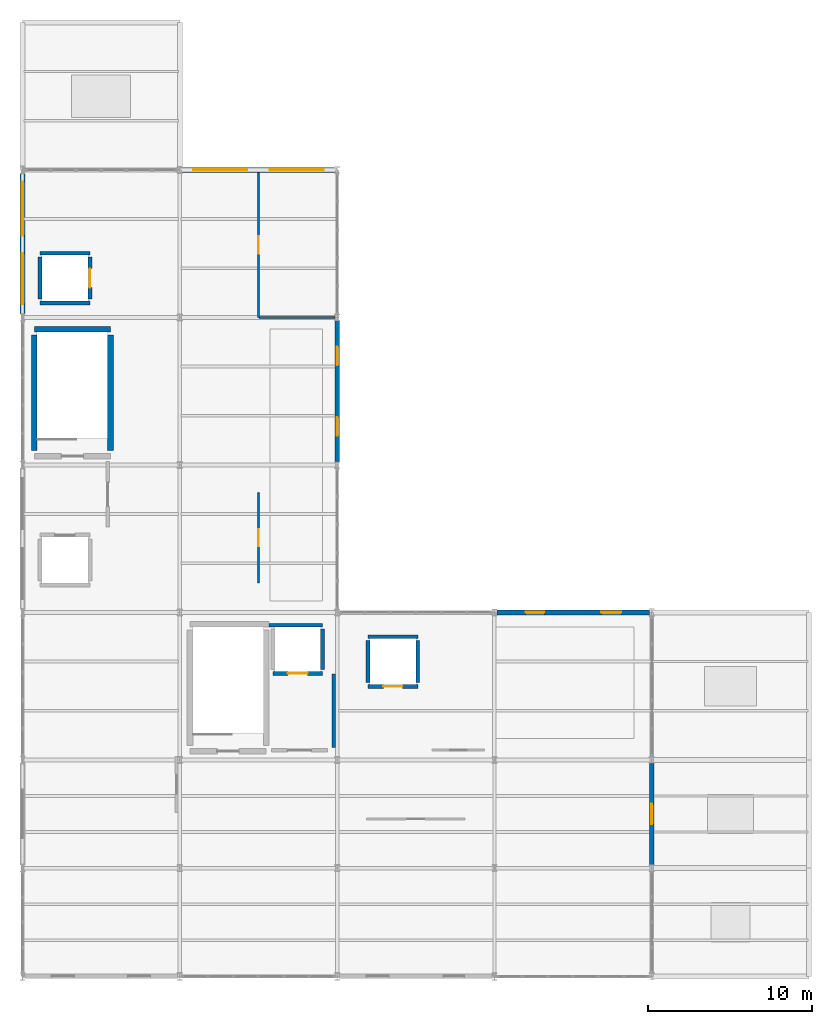
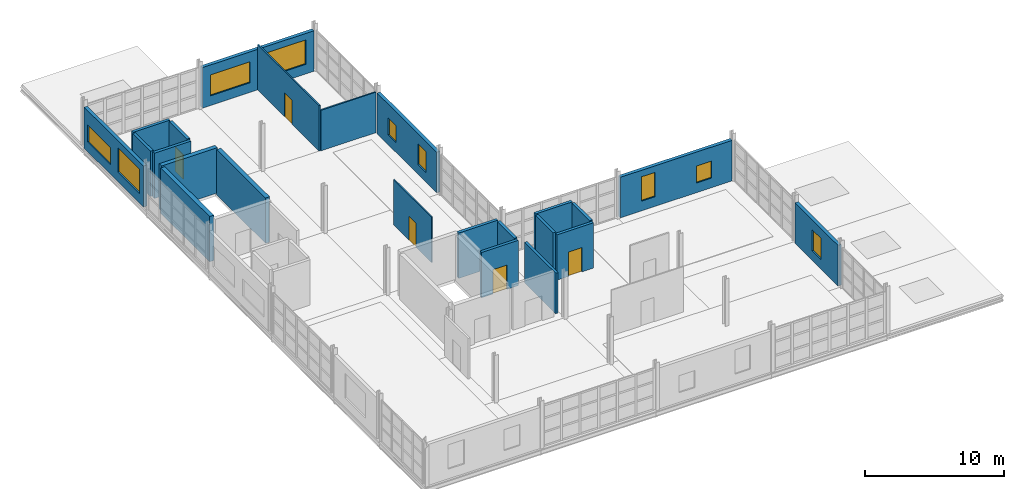
# One storey, part 14 of 15: 23 walls, 9 windows, 5 doors, 14 openings.
"""IFC4 building model written with IfcOpenShell, lengths in metres."""

from ifc_helpers import new_model, si_unit, direction, frame, frame_2d, origin, place, context, subcontext, project, spatial, rectangle, extrude, material, layer, layer_set, type_object, element, fill, save


model = new_model("IFC4")

# Units and contexts
model_context = context("Model", 3, precision=1e-05, world=origin(), true_north=direction((0.0, 1.0)))
body_context = subcontext(model_context, "Body", "Model", "MODEL_VIEW")
ifc_project = project(units=[si_unit("LENGTHUNIT", "METRE"), si_unit("AREAUNIT", "SQUARE_METRE"), si_unit("VOLUMEUNIT", "CUBIC_METRE"), si_unit("PLANEANGLEUNIT", "RADIAN"), si_unit("MASSUNIT", "GRAM", prefix="KILO")], contexts=[model_context])

# Site, building, storey
site_placement = place(None, origin())
site = spatial("IfcSite", under=ifc_project, at=site_placement, CompositionType="ELEMENT")
building_placement = place(site_placement, origin())
building = spatial("IfcBuilding", under=site, at=building_placement, Name="Zarnetskaya Central Station", CompositionType="ELEMENT")
storey_placement = place(building_placement, frame((0.0, 0.0, 22.800048828125)))
storey = spatial("IfcBuildingStorey", under=building, at=storey_placement, Name="L05", CompositionType="ELEMENT", Elevation=22.800048828125)

# Wall
ifc_material_1 = material(Name="Concrete C30/37", Category="concrete")
ifc_layer_1 = layer(ifc_material_1, 0.205078125, Name="Concrete C30/37", Category="concrete")
ifc_layer_set_1 = layer_set([ifc_layer_1], Name="Concrete C30/37")
wall_type_1 = type_object("IfcWallType", Name="PART-FFL-205", PredefinedType="PARTITIONING", material=ifc_layer_set_1)
wall_1_placement = place(storey_placement, frame((19.0, 18.449951171875, 0.0), z_axis=(0.0, 0.0, 1.0), x_axis=(0.0, -1.0, 0.0)))
element("IfcWall", 1, at=wall_1_placement, inside=storey, type_object=wall_type_1, Name="Interior partition IPRT-L05-0372", PredefinedType="PARTITIONING", context=body_context, shape_type="SweptSolid", body=[
    extrude(rectangle(XDim=4.5, YDim=0.205078125, at=frame_2d((2.25, 0.0))), origin(), (0.0, 0.0, 1.0), 3.570068359375),
])

# Wall, opening, door
ifc_material_2 = material(Name="Gypsum stud partition")
ifc_layer_2 = layer(ifc_material_2, 0.10009765625, Name="Gypsum stud partition")
ifc_layer_set_2 = layer_set([ifc_layer_2], Name="Gypsum stud partition")
wall_type_2 = type_object("IfcWallType", Name="PART-LGT-100", PredefinedType="PARTITIONING", material=ifc_layer_set_2)
wall_2_placement = place(storey_placement, frame((14.39990234375, 24.0, 0.0), z_axis=(0.0, 0.0, 1.0), x_axis=(0.0, 1.0, 0.0)))
wall_2 = element("IfcWall", 2, at=wall_2_placement, inside=storey, type_object=wall_type_2, Name="Interior partition IPRT-L05-0444", PredefinedType="PARTITIONING", context=body_context, shape_type="SweptSolid", body=[
    extrude(rectangle(XDim=5.5, YDim=0.10009765625, at=frame_2d((2.75, 0.0))), origin(), (0.0, 0.0, 1.0), 3.989990234375),
])
opening_1_placement = place(wall_2_placement, frame((2.22998046875, 0.0, 0.0)))
opening_1 = element("IfcOpeningElement", 3, at=opening_1_placement, cuts=wall_2, Name="Opening DR-26", PredefinedType="OPENING", context=body_context, shape_type="SweptSolid", body=[
    extrude(rectangle(XDim=1.0400390625, YDim=2.1201171875, at=frame_2d((0.52001953125, 1.06005859375))), frame((0.0, 0.06005859375, 0.0), z_axis=(0.0, -1.0, 0.0), x_axis=(1.0, 0.0, 0.0)), (0.0, 0.0, 1.0), 0.1201171875),
])
ifc_material_3 = material(Name="Anodised aluminium", Category="aluminium")
door_type_1 = type_object("IfcDoorType", Name="DR-INT-05", OperationType="NOTDEFINED", PredefinedType="DOOR", material=ifc_material_3)
door_1_placement = place(opening_1_placement, origin())
door_1 = element("IfcDoor", 4, at=door_1_placement, inside=storey, type_object=door_type_1, Name="Cybersecurity and Fibre Backbone Room door", OperationType="SINGLE_SWING_RIGHT", OverallHeight=2.1201171875, OverallWidth=1.0400390625, PredefinedType="DOOR", context=body_context, shape_type="SweptSolid", body=[
    extrude(rectangle(XDim=1.0400390625, YDim=2.1201171875, at=frame_2d((0.52001953125, 1.06005859375))), frame((0.0, 0.02490234375, 0.0), z_axis=(0.0, -1.0, 0.0), x_axis=(1.0, 0.0, 0.0)), (0.0, 0.0, 1.0), 0.050048828125),
])
fill(opening_1, door_1)

ifc_material_4 = material(Name="Gypsum moisture partition")
ifc_layer_3 = layer(ifc_material_4, 0.114990234375, Name="Gypsum moisture partition")
ifc_layer_set_3 = layer_set([ifc_layer_3], Name="Gypsum moisture partition")
wall_type_3 = type_object("IfcWallType", Name="PART-WC-115", PredefinedType="PARTITIONING", material=ifc_layer_set_3)
wall_3_placement = place(storey_placement, frame((14.39990234375, 40.199951171875, 0.0), z_axis=(0.0, 0.0, 1.0), x_axis=(0.0, 1.0, 0.0)))
wall_3 = element("IfcWall", 5, at=wall_3_placement, inside=storey, type_object=wall_type_3, Name="Interior partition IPRT-L05-0445", PredefinedType="PARTITIONING", context=body_context, shape_type="SweptSolid", body=[
    extrude(rectangle(XDim=8.860107421875, YDim=0.114990234375, at=frame_2d((4.43017578125, 0.0))), origin(), (0.0, 0.0, 1.0), 3.989990234375),
])
opening_2_placement = place(wall_3_placement, frame((3.889892578125, 0.0, 0.0)))
opening_2 = element("IfcOpeningElement", 6, at=opening_2_placement, cuts=wall_3, Name="Opening DR-25", PredefinedType="OPENING", context=body_context, shape_type="SweptSolid", body=[
    extrude(rectangle(XDim=1.080078125, YDim=2.1201171875, at=frame_2d((0.5400390625, 1.06005859375))), frame((0.0, 0.0673828125, 0.0), z_axis=(0.0, -1.0, 0.0), x_axis=(1.0, 0.0, 0.0)), (0.0, 0.0, 1.0), 0.135009765625),
])
door_type_2 = type_object("IfcDoorType", Name="DR-INT-06", OperationType="NOTDEFINED", PredefinedType="DOOR", material=ifc_material_3)
door_2_placement = place(opening_2_placement, origin())
door_2 = element("IfcDoor", 7, at=door_2_placement, inside=storey, type_object=door_type_2, Name="Staff and Accessible WC Suite L05 door", OperationType="SINGLE_SWING_LEFT", OverallHeight=2.1201171875, OverallWidth=1.080078125, PredefinedType="DOOR", context=body_context, shape_type="SweptSolid", body=[
    extrude(rectangle(XDim=1.080078125, YDim=2.1201171875, at=frame_2d((0.5400390625, 1.06005859375))), frame((0.0, 0.02490234375, 0.0), z_axis=(0.0, -1.0, 0.0), x_axis=(1.0, 0.0, 0.0)), (0.0, 0.0, 1.0), 0.050048828125),
])
fill(opening_2, door_2)

# Walls
wall_4_placement = place(storey_placement, frame((19.050048828125, 40.199951171875, 0.0), z_axis=(0.0, 0.0, 1.0), x_axis=(-1.0, 0.0, 0.0)))
element("IfcWall", 8, at=wall_4_placement, inside=storey, type_object=wall_type_3, Name="Interior partition IPRT-L05-0446", PredefinedType="PARTITIONING", context=body_context, shape_type="SweptSolid", body=[
    extrude(rectangle(XDim=4.592529296875, YDim=0.114990234375, at=frame_2d((2.29638671875, 0.0))), origin(), (0.0, 0.0, 1.0), 3.570068359375),
])
ifc_material_5 = material(Name="Concrete C35/45", Category="concrete")
ifc_layer_4 = layer(ifc_material_5, 0.35009765625, Name="Concrete C35/45", Category="concrete")
ifc_layer_set_4 = layer_set([ifc_layer_4], Name="Concrete C35/45")
wall_type_4 = type_object("IfcWallType", Name="WALL-CORE-350", PredefinedType="SHEAR", material=ifc_layer_set_4)
wall_5_placement = place(storey_placement, frame((0.72509765625, 39.47509765625, 0.0), z_axis=(0.0, 0.0, 1.0), x_axis=(1.0, 0.0, 0.0)))
element("IfcWall", 9, at=wall_5_placement, inside=storey, type_object=wall_type_4, Name="Core shear wall WSTR-L05-0242", PredefinedType="SHEAR", context=body_context, shape_type="SweptSolid", body=[
    extrude(rectangle(XDim=4.64990234375, YDim=0.35009765625, at=frame_2d((2.324951171875, 0.0))), origin(), (0.0, 0.0, 1.0), 3.989990234375),
])
for number, where, z_axis, x_axis, name in (
    (10, (0.72509765625, 32.074951171875, 0.0), (0.0, 0.0, 1.0), (0.0, 1.0, 0.0), "Core shear wall WSTR-L05-0243"),
    (11, (5.375, 39.125, 0.0), (0.0, 0.0, 1.0), (0.0, -1.0, 0.0), "Core shear wall WSTR-L05-0244"),
):
    element("IfcWall", number, at=place(storey_placement, frame(where, z_axis=z_axis, x_axis=x_axis)), inside=storey, type_object=wall_type_4, Name=name, PredefinedType="SHEAR", context=body_context, shape_type="SweptSolid", body=[
        extrude(rectangle(XDim=7.050048828125, YDim=0.35009765625, at=frame_2d((3.52490234375, 0.0))), origin(), (0.0, 0.0, 1.0), 3.989990234375),
    ])

# Wall, openings, windows
ifc_material_6 = material(Name="Precast concrete C40/50", Category="concrete")
ifc_layer_5 = layer(ifc_material_6, 0.280029296875, Name="Precast concrete C40/50", Category="concrete")
ifc_layer_set_5 = layer_set([ifc_layer_5], Name="Precast concrete C40/50")
wall_type_5 = type_object("IfcWallType", Name="WALL-EXT-280", PredefinedType="SOLIDWALL", material=ifc_layer_set_5)
wall_6_placement = place(storey_placement, frame((0.0, 40.425048828125, 0.0), z_axis=(0.0, 0.0, 1.0), x_axis=(0.0, 1.0, 0.0)))
wall_6 = element("IfcWall", 12, at=wall_6_placement, inside=storey, type_object=wall_type_5, Name="Exterior precast wall EW-L05-0-404-0-490", PredefinedType="SOLIDWALL", context=body_context, shape_type="SweptSolid", body=[
    extrude(rectangle(XDim=8.550048828125, YDim=0.280029296875, at=frame_2d((4.27490234375, 0.0))), origin(), (0.0, 0.0, 1.0), 3.60986328125),
])
opening_3_placement = place(wall_6_placement, frame((0.58740234375, 0.0, 0.85009765625)))
opening_3 = element("IfcOpeningElement", 13, at=opening_3_placement, cuts=wall_6, Name="Opening WN-50", PredefinedType="OPENING", context=body_context, shape_type="SweptSolid", body=[
    extrude(rectangle(XDim=3.10009765625, YDim=2.14990234375, at=frame_2d((1.550048828125, 1.074951171875))), frame((0.0, 0.14990234375, 0.0), z_axis=(0.0, -1.0, 0.0), x_axis=(1.0, 0.0, 0.0)), (0.0, 0.0, 1.0), 0.300048828125),
])
opening_4_placement = place(wall_6_placement, frame((4.762451171875, 0.0, 0.85009765625)))
opening_4 = element("IfcOpeningElement", 14, at=opening_4_placement, cuts=wall_6, Name="Opening WN-38", PredefinedType="OPENING", context=body_context, shape_type="SweptSolid", body=[
    extrude(rectangle(XDim=3.300048828125, YDim=1.5, at=frame_2d((1.64990234375, 0.75))), frame((0.0, 0.14990234375, 0.0), z_axis=(0.0, -1.0, 0.0), x_axis=(1.0, 0.0, 0.0)), (0.0, 0.0, 1.0), 0.300048828125),
])
ifc_material_7 = material(Name="Low-E insulated glass", Category="glass")
window_type_1 = type_object("IfcWindowType", Name="WIN-51", PartitioningType="DOUBLE_PANEL_VERTICAL", PredefinedType="WINDOW", material=ifc_material_7)
window_1_placement = place(opening_3_placement, origin())
window_1 = element("IfcWindow", 15, at=window_1_placement, inside=storey, type_object=window_type_1, Name="Facade window L05-0105", OverallHeight=2.14990234375, OverallWidth=3.10009765625, PartitioningType="SINGLE_PANEL", PredefinedType="WINDOW", context=body_context, shape_type="SweptSolid", body=[
    extrude(rectangle(XDim=3.10009765625, YDim=2.14990234375, at=frame_2d((1.550048828125, 1.074951171875))), frame((0.0, 0.030029296875, 0.0), z_axis=(0.0, -1.0, 0.0), x_axis=(1.0, 0.0, 0.0)), (0.0, 0.0, 1.0), 0.06005859375),
])
fill(opening_3, window_1)
window_type_2 = type_object("IfcWindowType", Name="WIN-52", PartitioningType="DOUBLE_PANEL_VERTICAL", PredefinedType="WINDOW", material=ifc_material_7)
window_2_placement = place(opening_4_placement, origin())
window_2 = element("IfcWindow", 16, at=window_2_placement, inside=storey, type_object=window_type_2, Name="Facade window L05-0106", OverallHeight=1.5, OverallWidth=3.300048828125, PartitioningType="SINGLE_PANEL", PredefinedType="WINDOW", context=body_context, shape_type="SweptSolid", body=[
    extrude(rectangle(XDim=3.300048828125, YDim=1.5, at=frame_2d((1.64990234375, 0.75))), frame((0.0, 0.030029296875, 0.0), z_axis=(0.0, -1.0, 0.0), x_axis=(1.0, 0.0, 0.0)), (0.0, 0.0, 1.0), 0.06005859375),
])
fill(opening_4, window_2)

wall_7_placement = place(storey_placement, frame((9.75, 49.199951171875, 0.0), z_axis=(0.0, 0.0, 1.0), x_axis=(1.0, 0.0, 0.0)))
wall_7 = element("IfcWall", 17, at=wall_7_placement, inside=storey, type_object=wall_type_5, Name="Exterior precast wall EW-L05-98-492-190-492", PredefinedType="SOLIDWALL", context=body_context, shape_type="SweptSolid", body=[
    extrude(rectangle(XDim=9.300048828125, YDim=0.280029296875, at=frame_2d((4.64990234375, 0.0))), origin(), (0.0, 0.0, 1.0), 3.570068359375),
])
opening_5_placement = place(wall_7_placement, frame((0.675048828125, 0.0, 0.85009765625)))
opening_5 = element("IfcOpeningElement", 18, at=opening_5_placement, cuts=wall_7, Name="Opening WN-29", PredefinedType="OPENING", context=body_context, shape_type="SweptSolid", body=[
    extrude(rectangle(XDim=3.300048828125, YDim=1.85009765625, at=frame_2d((1.64990234375, 0.925048828125))), frame((0.0, 0.14990234375, 0.0), z_axis=(0.0, -1.0, 0.0), x_axis=(1.0, 0.0, 0.0)), (0.0, 0.0, 1.0), 0.300048828125),
])
opening_6_placement = place(wall_7_placement, frame((5.324951171875, 0.0, 0.85009765625)))
opening_6 = element("IfcOpeningElement", 19, at=opening_6_placement, cuts=wall_7, Name="Opening WN-24", PredefinedType="OPENING", context=body_context, shape_type="SweptSolid", body=[
    extrude(rectangle(XDim=3.300048828125, YDim=2.14990234375, at=frame_2d((1.64990234375, 1.074951171875))), frame((0.0, 0.14990234375, 0.0), z_axis=(0.0, -1.0, 0.0), x_axis=(1.0, 0.0, 0.0)), (0.0, 0.0, 1.0), 0.300048828125),
])
window_type_3 = type_object("IfcWindowType", Name="WIN-53", PartitioningType="DOUBLE_PANEL_VERTICAL", PredefinedType="WINDOW", material=ifc_material_7)
window_3_placement = place(opening_5_placement, origin())
window_3 = element("IfcWindow", 20, at=window_3_placement, inside=storey, type_object=window_type_3, Name="Facade window L05-0107", OverallHeight=1.85009765625, OverallWidth=3.300048828125, PartitioningType="SINGLE_PANEL", PredefinedType="WINDOW", context=body_context, shape_type="SweptSolid", body=[
    extrude(rectangle(XDim=3.300048828125, YDim=1.85009765625, at=frame_2d((1.64990234375, 0.925048828125))), frame((0.0, 0.030029296875, 0.0), z_axis=(0.0, -1.0, 0.0), x_axis=(1.0, 0.0, 0.0)), (0.0, 0.0, 1.0), 0.06005859375),
])
fill(opening_5, window_3)
window_type_4 = type_object("IfcWindowType", Name="WIN-54", PartitioningType="DOUBLE_PANEL_VERTICAL", PredefinedType="WINDOW", material=ifc_material_7)
window_4_placement = place(opening_6_placement, origin())
window_4 = element("IfcWindow", 21, at=window_4_placement, inside=storey, type_object=window_type_4, Name="Facade window L05-0108", OverallHeight=2.14990234375, OverallWidth=3.300048828125, PartitioningType="SINGLE_PANEL", PredefinedType="WINDOW", context=body_context, shape_type="SweptSolid", body=[
    extrude(rectangle(XDim=3.300048828125, YDim=2.14990234375, at=frame_2d((1.64990234375, 1.074951171875))), frame((0.0, 0.030029296875, 0.0), z_axis=(0.0, -1.0, 0.0), x_axis=(1.0, 0.0, 0.0)), (0.0, 0.0, 1.0), 0.06005859375),
])
fill(opening_6, window_4)

wall_8_placement = place(storey_placement, frame((19.199951171875, 40.0, 0.0), z_axis=(0.0, 0.0, 1.0), x_axis=(0.0, -1.0, 0.0)))
wall_8 = element("IfcWall", 22, at=wall_8_placement, inside=storey, type_object=wall_type_5, Name="Exterior precast wall EW-L05-192-400-192-314", PredefinedType="SOLIDWALL", context=body_context, shape_type="SweptSolid", body=[
    extrude(rectangle(XDim=8.60009765625, YDim=0.280029296875, at=frame_2d((4.300048828125, 0.0))), origin(), (0.0, 0.0, 1.0), 3.570068359375),
])
opening_7_placement = place(wall_8_placement, frame((1.574951171875, 0.0, 0.85009765625)))
opening_7 = element("IfcOpeningElement", 23, at=opening_7_placement, cuts=wall_8, Name="Opening WN-41", PredefinedType="OPENING", context=body_context, shape_type="SweptSolid", body=[
    extrude(rectangle(XDim=1.14990234375, YDim=1.5, at=frame_2d((0.574951171875, 0.75))), frame((0.0, 0.14990234375, 0.0), z_axis=(0.0, -1.0, 0.0), x_axis=(1.0, 0.0, 0.0)), (0.0, 0.0, 1.0), 0.300048828125),
])
opening_8_placement = place(wall_8_placement, frame((5.875, 0.0, 0.85009765625)))
opening_8 = element("IfcOpeningElement", 24, at=opening_8_placement, cuts=wall_8, Name="Opening WN-14", PredefinedType="OPENING", context=body_context, shape_type="SweptSolid", body=[
    extrude(rectangle(XDim=1.14990234375, YDim=1.85009765625, at=frame_2d((0.574951171875, 0.925048828125))), frame((0.0, 0.14990234375, 0.0), z_axis=(0.0, -1.0, 0.0), x_axis=(1.0, 0.0, 0.0)), (0.0, 0.0, 1.0), 0.300048828125),
])
window_type_5 = type_object("IfcWindowType", Name="WIN-01", PartitioningType="SINGLE_PANEL", PredefinedType="WINDOW", material=ifc_material_7)
window_5_placement = place(opening_7_placement, origin())
window_5 = element("IfcWindow", 25, at=window_5_placement, inside=storey, type_object=window_type_5, Name="Facade window L05-0109", OverallHeight=1.5, OverallWidth=1.14990234375, PartitioningType="SINGLE_PANEL", PredefinedType="WINDOW", context=body_context, shape_type="SweptSolid", body=[
    extrude(rectangle(XDim=1.14990234375, YDim=1.5, at=frame_2d((0.574951171875, 0.75))), frame((0.0, 0.030029296875, 0.0), z_axis=(0.0, -1.0, 0.0), x_axis=(1.0, 0.0, 0.0)), (0.0, 0.0, 1.0), 0.06005859375),
])
fill(opening_7, window_5)
window_type_6 = type_object("IfcWindowType", Name="WIN-02", PartitioningType="SINGLE_PANEL", PredefinedType="WINDOW", material=ifc_material_7)
window_6_placement = place(opening_8_placement, origin())
window_6 = element("IfcWindow", 26, at=window_6_placement, inside=storey, type_object=window_type_6, Name="Facade window L05-0110", OverallHeight=1.85009765625, OverallWidth=1.14990234375, PartitioningType="SINGLE_PANEL", PredefinedType="WINDOW", context=body_context, shape_type="SweptSolid", body=[
    extrude(rectangle(XDim=1.14990234375, YDim=1.85009765625, at=frame_2d((0.574951171875, 0.925048828125))), frame((0.0, 0.030029296875, 0.0), z_axis=(0.0, -1.0, 0.0), x_axis=(1.0, 0.0, 0.0)), (0.0, 0.0, 1.0), 0.06005859375),
])
fill(opening_8, window_6)

wall_9_placement = place(storey_placement, frame((28.949951171875, 22.199951171875, 0.0), z_axis=(0.0, 0.0, 1.0), x_axis=(1.0, 0.0, 0.0)))
wall_9 = element("IfcWall", 27, at=wall_9_placement, inside=storey, type_object=wall_type_5, Name="Exterior precast wall EW-L05-290-222-382-222", PredefinedType="SOLIDWALL", context=body_context, shape_type="SweptSolid", body=[
    extrude(rectangle(XDim=9.300048828125, YDim=0.280029296875, at=frame_2d((4.64990234375, 0.0))), origin(), (0.0, 0.0, 1.0), 3.570068359375),
])
opening_9_placement = place(wall_9_placement, frame((1.75, 0.0, 0.85009765625)))
opening_9 = element("IfcOpeningElement", 28, at=opening_9_placement, cuts=wall_9, Name="Opening WN-25", PredefinedType="OPENING", context=body_context, shape_type="SweptSolid", body=[
    extrude(rectangle(XDim=1.14990234375, YDim=2.14990234375, at=frame_2d((0.574951171875, 1.074951171875))), frame((0.0, 0.14990234375, 0.0), z_axis=(0.0, -1.0, 0.0), x_axis=(1.0, 0.0, 0.0)), (0.0, 0.0, 1.0), 0.300048828125),
])
opening_10_placement = place(wall_9_placement, frame((6.35009765625, 0.0, 0.85009765625)))
opening_10 = element("IfcOpeningElement", 29, at=opening_10_placement, cuts=wall_9, Name="Opening WN-26", PredefinedType="OPENING", context=body_context, shape_type="SweptSolid", body=[
    extrude(rectangle(XDim=1.25, YDim=1.5, at=frame_2d((0.625, 0.75))), frame((0.0, 0.14990234375, 0.0), z_axis=(0.0, -1.0, 0.0), x_axis=(1.0, 0.0, 0.0)), (0.0, 0.0, 1.0), 0.300048828125),
])
window_type_7 = type_object("IfcWindowType", Name="WIN-03", PartitioningType="SINGLE_PANEL", PredefinedType="WINDOW", material=ifc_material_7)
window_7_placement = place(opening_9_placement, origin())
window_7 = element("IfcWindow", 30, at=window_7_placement, inside=storey, type_object=window_type_7, Name="Facade window L05-0111", OverallHeight=2.14990234375, OverallWidth=1.14990234375, PartitioningType="SINGLE_PANEL", PredefinedType="WINDOW", context=body_context, shape_type="SweptSolid", body=[
    extrude(rectangle(XDim=1.14990234375, YDim=2.14990234375, at=frame_2d((0.574951171875, 1.074951171875))), frame((0.0, 0.030029296875, 0.0), z_axis=(0.0, -1.0, 0.0), x_axis=(1.0, 0.0, 0.0)), (0.0, 0.0, 1.0), 0.06005859375),
])
fill(opening_9, window_7)
window_type_8 = type_object("IfcWindowType", Name="WIN-04", PartitioningType="SINGLE_PANEL", PredefinedType="WINDOW", material=ifc_material_7)
window_8_placement = place(opening_10_placement, origin())
window_8 = element("IfcWindow", 31, at=window_8_placement, inside=storey, type_object=window_type_8, Name="Facade window L05-0112", OverallHeight=1.5, OverallWidth=1.25, PartitioningType="SINGLE_PANEL", PredefinedType="WINDOW", context=body_context, shape_type="SweptSolid", body=[
    extrude(rectangle(XDim=1.25, YDim=1.5, at=frame_2d((0.625, 0.75))), frame((0.0, 0.030029296875, 0.0), z_axis=(0.0, -1.0, 0.0), x_axis=(1.0, 0.0, 0.0)), (0.0, 0.0, 1.0), 0.06005859375),
])
fill(opening_10, window_8)

# Wall, opening, window
wall_10_placement = place(storey_placement, frame((38.39990234375, 13.0, 0.0), z_axis=(0.0, 0.0, 1.0), x_axis=(0.0, -1.0, 0.0)))
wall_10 = element("IfcWall", 32, at=wall_10_placement, inside=storey, type_object=wall_type_5, Name="Exterior precast wall EW-L05-384-130-384-68", PredefinedType="SOLIDWALL", context=body_context, shape_type="SweptSolid", body=[
    extrude(rectangle(XDim=6.199951171875, YDim=0.280029296875, at=frame_2d((3.10009765625, 0.0))), origin(), (0.0, 0.0, 1.0), 3.570068359375),
])
opening_11_placement = place(wall_10_placement, frame((2.47509765625, 0.0, 0.85009765625)))
opening_11 = element("IfcOpeningElement", 33, at=opening_11_placement, cuts=wall_10, Name="Opening WN-21", PredefinedType="OPENING", context=body_context, shape_type="SweptSolid", body=[
    extrude(rectangle(XDim=1.25, YDim=1.85009765625, at=frame_2d((0.625, 0.925048828125))), frame((0.0, 0.14990234375, 0.0), z_axis=(0.0, -1.0, 0.0), x_axis=(1.0, 0.0, 0.0)), (0.0, 0.0, 1.0), 0.300048828125),
])
window_type_9 = type_object("IfcWindowType", Name="WIN-05", PartitioningType="SINGLE_PANEL", PredefinedType="WINDOW", material=ifc_material_7)
window_9_placement = place(opening_11_placement, origin())
window_9 = element("IfcWindow", 34, at=window_9_placement, inside=storey, type_object=window_type_9, Name="Facade window L05-0113", OverallHeight=1.85009765625, OverallWidth=1.25, PartitioningType="SINGLE_PANEL", PredefinedType="WINDOW", context=body_context, shape_type="SweptSolid", body=[
    extrude(rectangle(XDim=1.25, YDim=1.85009765625, at=frame_2d((0.625, 0.925048828125))), frame((0.0, 0.030029296875, 0.0), z_axis=(0.0, -1.0, 0.0), x_axis=(1.0, 0.0, 0.0)), (0.0, 0.0, 1.0), 0.06005859375),
])
fill(opening_11, window_9)

# Wall, opening, door
ifc_layer_6 = layer(ifc_material_5, 0.239990234375, Name="Concrete C35/45", Category="concrete")
ifc_layer_set_6 = layer_set([ifc_layer_6], Name="Concrete C35/45")
wall_type_6 = type_object("IfcWallType", Name="WALL-SHFT-240", PredefinedType="SHEAR", material=ifc_layer_set_6)
wall_11_placement = place(storey_placement, frame((18.320068359375, 18.47998046875, 0.0), z_axis=(0.0, 0.0, 1.0), x_axis=(-1.0, 0.0, 0.0)))
wall_11 = element("IfcWall", 35, at=wall_11_placement, inside=storey, type_object=wall_type_6, Name="Core shear wall WSHF-L05-0025", PredefinedType="SHEAR", context=body_context, shape_type="SweptSolid", body=[
    extrude(rectangle(XDim=3.0400390625, YDim=0.239990234375, at=frame_2d((1.52001953125, 0.0))), origin(), (0.0, 0.0, 1.0), 3.989990234375),
])
opening_12_placement = place(wall_11_placement, frame((0.919921875, 0.0, 0.0)))
opening_12 = element("IfcOpeningElement", 36, at=opening_12_placement, cuts=wall_11, Name="Opening LD-FF", PredefinedType="OPENING", context=body_context, shape_type="SweptSolid", body=[
    extrude(rectangle(XDim=1.199951171875, YDim=2.14990234375, at=frame_2d((0.60009765625, 1.074951171875))), frame((0.0, 0.1298828125, 0.0), z_axis=(0.0, -1.0, 0.0), x_axis=(1.0, 0.0, 0.0)), (0.0, 0.0, 1.0), 0.260009765625),
])
door_type_3 = type_object("IfcDoorType", Name="DR-LIFT-FF", OperationType="NOTDEFINED", PredefinedType="DOOR", material=ifc_material_3)
door_3_placement = place(opening_12_placement, origin())
door_3 = element("IfcDoor", 37, at=door_3_placement, inside=storey, type_object=door_type_3, Name="Lift landing sliding door FL-01 L05", OperationType="DOUBLE_DOOR_SLIDING", OverallHeight=2.14990234375, OverallWidth=1.199951171875, PredefinedType="DOOR", context=body_context, shape_type="SweptSolid", body=[
    extrude(rectangle(XDim=1.199951171875, YDim=2.14990234375, at=frame_2d((0.60009765625, 1.074951171875))), frame((0.0, 0.02490234375, 0.0), z_axis=(0.0, -1.0, 0.0), x_axis=(1.0, 0.0, 0.0)), (0.0, 0.0, 1.0), 0.050048828125),
])
fill(opening_12, door_3)

# Walls
wall_12_placement = place(storey_placement, frame((15.050048828125, 21.419921875, 0.0), z_axis=(0.0, 0.0, 1.0), x_axis=(1.0, 0.0, 0.0)))
element("IfcWall", 38, at=wall_12_placement, inside=storey, type_object=wall_type_6, Name="Core shear wall WSHF-L05-0026", PredefinedType="SHEAR", context=body_context, shape_type="SweptSolid", body=[
    extrude(rectangle(XDim=3.27001953125, YDim=0.239990234375, at=frame_2d((1.635009765625, 0.0))), origin(), (0.0, 0.0, 1.0), 3.989990234375),
])
wall_13_placement = place(storey_placement, frame((18.320068359375, 21.179931640625, 0.0), z_axis=(0.0, 0.0, 1.0), x_axis=(0.0, -1.0, 0.0)))
element("IfcWall", 39, at=wall_13_placement, inside=storey, type_object=wall_type_6, Name="Core shear wall WSHF-L05-0028", PredefinedType="SHEAR", context=body_context, shape_type="SweptSolid", body=[
    extrude(rectangle(XDim=2.4599609375, YDim=0.239990234375, at=frame_2d((1.22998046875, 0.0))), origin(), (0.0, 0.0, 1.0), 3.989990234375),
])

# Wall, opening, door
wall_14_placement = place(storey_placement, frame((24.1201171875, 17.679931640625, 0.0), z_axis=(0.0, 0.0, 1.0), x_axis=(-1.0, 0.0, 0.0)))
wall_14 = element("IfcWall", 40, at=wall_14_placement, inside=storey, type_object=wall_type_6, Name="Core shear wall WSHF-L05-0053", PredefinedType="SHEAR", context=body_context, shape_type="SweptSolid", body=[
    extrude(rectangle(XDim=3.0400390625, YDim=0.239990234375, at=frame_2d((1.52001953125, 0.0))), origin(), (0.0, 0.0, 1.0), 3.989990234375),
])
opening_13_placement = place(wall_14_placement, frame((0.93994140625, 0.0, 0.0)))
opening_13 = element("IfcOpeningElement", 41, at=opening_13_placement, cuts=wall_14, Name="Opening DR-24", PredefinedType="OPENING", context=body_context, shape_type="SweptSolid", body=[
    extrude(rectangle(XDim=1.159912109375, YDim=2.14990234375, at=frame_2d((0.580078125, 1.074951171875))), frame((0.0, 0.1298828125, 0.0), z_axis=(0.0, -1.0, 0.0), x_axis=(1.0, 0.0, 0.0)), (0.0, 0.0, 1.0), 0.260009765625),
])
door_type_4 = type_object("IfcDoorType", Name="DR-LIFT-PAX", OperationType="NOTDEFINED", PredefinedType="DOOR", material=ifc_material_3)
door_4_placement = place(opening_13_placement, origin())
door_4 = element("IfcDoor", 42, at=door_4_placement, inside=storey, type_object=door_type_4, Name="Lift landing sliding door LP-01 L05", OperationType="DOUBLE_DOOR_SLIDING", OverallHeight=2.14990234375, OverallWidth=1.159912109375, PredefinedType="DOOR", context=body_context, shape_type="SweptSolid", body=[
    extrude(rectangle(XDim=1.159912109375, YDim=2.14990234375, at=frame_2d((0.580078125, 1.074951171875))), frame((0.0, 0.02490234375, 0.0), z_axis=(0.0, -1.0, 0.0), x_axis=(1.0, 0.0, 0.0)), (0.0, 0.0, 1.0), 0.050048828125),
])
fill(opening_13, door_4)

# Walls
wall_15_placement = place(storey_placement, frame((21.080078125, 20.719970703125, 0.0), z_axis=(0.0, 0.0, 1.0), x_axis=(1.0, 0.0, 0.0)))
element("IfcWall", 43, at=wall_15_placement, inside=storey, type_object=wall_type_6, Name="Core shear wall WSHF-L05-0054", PredefinedType="SHEAR", context=body_context, shape_type="SweptSolid", body=[
    extrude(rectangle(XDim=3.0400390625, YDim=0.239990234375, at=frame_2d((1.52001953125, 0.0))), origin(), (0.0, 0.0, 1.0), 3.989990234375),
])
for number, where, z_axis, x_axis, name in (
    (44, (21.080078125, 17.919921875, 0.0), (0.0, 0.0, 1.0), (0.0, 1.0, 0.0), "Core shear wall WSHF-L05-0055"),
    (45, (24.1201171875, 20.47998046875, 0.0), (0.0, 0.0, 1.0), (0.0, -1.0, 0.0), "Core shear wall WSHF-L05-0056"),
):
    element("IfcWall", number, at=place(storey_placement, frame(where, z_axis=z_axis, x_axis=x_axis)), inside=storey, type_object=wall_type_6, Name=name, PredefinedType="SHEAR", context=body_context, shape_type="SweptSolid", body=[
        extrude(rectangle(XDim=2.56005859375, YDim=0.239990234375, at=frame_2d((1.280029296875, 0.0))), origin(), (0.0, 0.0, 1.0), 3.989990234375),
    ])
for number, where, z_axis, x_axis, name in (
    (46, (4.1201171875, 41.080078125, 0.0), (0.0, 0.0, 1.0), (-1.0, 0.0, 0.0), "Core shear wall WSHF-L05-0109"),
    (47, (1.080078125, 44.1201171875, 0.0), (0.0, 0.0, 1.0), (1.0, 0.0, 0.0), "Core shear wall WSHF-L05-0110"),
):
    element("IfcWall", number, at=place(storey_placement, frame(where, z_axis=z_axis, x_axis=x_axis)), inside=storey, type_object=wall_type_6, Name=name, PredefinedType="SHEAR", context=body_context, shape_type="SweptSolid", body=[
        extrude(rectangle(XDim=3.0400390625, YDim=0.239990234375, at=frame_2d((1.52001953125, 0.0))), origin(), (0.0, 0.0, 1.0), 3.989990234375),
    ])
wall_16_placement = place(storey_placement, frame((1.080078125, 41.320068359375, 0.0), z_axis=(0.0, 0.0, 1.0), x_axis=(0.0, 1.0, 0.0)))
element("IfcWall", 48, at=wall_16_placement, inside=storey, type_object=wall_type_6, Name="Core shear wall WSHF-L05-0111", PredefinedType="SHEAR", context=body_context, shape_type="SweptSolid", body=[
    extrude(rectangle(XDim=2.559814453125, YDim=0.239990234375, at=frame_2d((1.27978515625, 0.0))), origin(), (0.0, 0.0, 1.0), 3.989990234375),
])

# Wall, opening, door
wall_17_placement = place(storey_placement, frame((4.1201171875, 43.8798828125, 0.0), z_axis=(0.0, 0.0, 1.0), x_axis=(0.0, -1.0, 0.0)))
wall_17 = element("IfcWall", 49, at=wall_17_placement, inside=storey, type_object=wall_type_6, Name="Core shear wall WSHF-L05-0112", PredefinedType="SHEAR", context=body_context, shape_type="SweptSolid", body=[
    extrude(rectangle(XDim=2.559814453125, YDim=0.239990234375, at=frame_2d((1.27978515625, 0.0))), origin(), (0.0, 0.0, 1.0), 3.989990234375),
])
opening_14_placement = place(wall_17_placement, frame((0.699951171875, 0.0, 0.0)))
opening_14 = element("IfcOpeningElement", 50, at=opening_14_placement, cuts=wall_17, Name="Opening DR-24", PredefinedType="OPENING", context=body_context, shape_type="SweptSolid", body=[
    extrude(rectangle(XDim=1.159912109375, YDim=2.14990234375, at=frame_2d((0.580078125, 1.074951171875))), frame((0.0, 0.1298828125, 0.0), z_axis=(0.0, -1.0, 0.0), x_axis=(1.0, 0.0, 0.0)), (0.0, 0.0, 1.0), 0.260009765625),
])
door_5_placement = place(opening_14_placement, origin())
door_5 = element("IfcDoor", 51, at=door_5_placement, inside=storey, type_object=door_type_4, Name="Lift landing sliding door LP-02 L05", OperationType="DOUBLE_DOOR_SLIDING", OverallHeight=2.14990234375, OverallWidth=1.159912109375, PredefinedType="DOOR", context=body_context, shape_type="SweptSolid", body=[
    extrude(rectangle(XDim=1.159912109375, YDim=2.14990234375, at=frame_2d((0.580078125, 1.074951171875))), frame((0.0, 0.02490234375, 0.0), z_axis=(0.0, -1.0, 0.0), x_axis=(1.0, 0.0, 0.0)), (0.0, 0.0, 1.0), 0.050048828125),
])
fill(opening_14, door_5)

save(model, "model.ifc")
